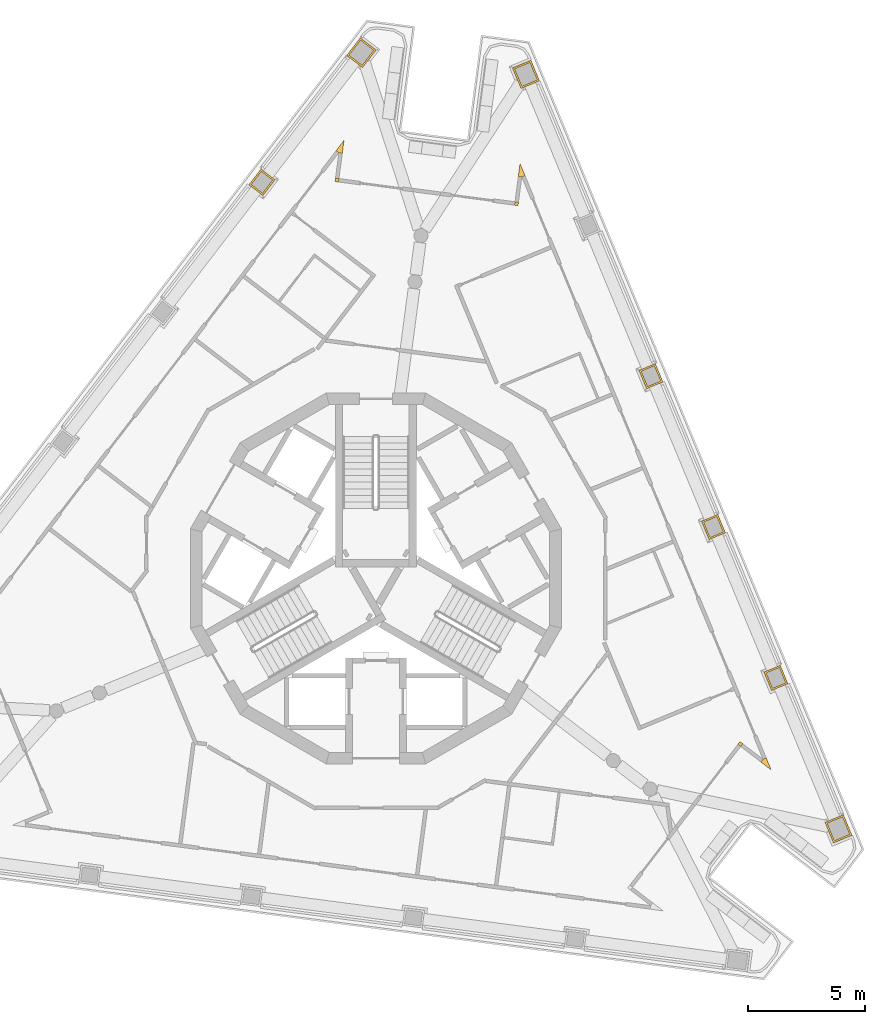
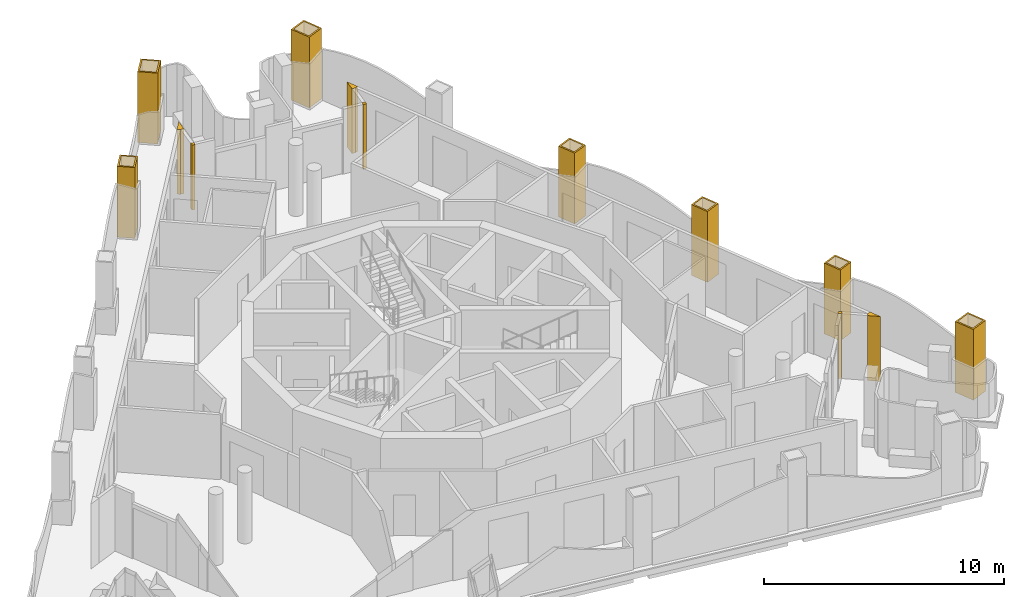
# One storey, part 11 of 12: 13 coverings.
"""IFC4 building model written with IfcOpenShell, lengths in metres."""

from ifc_helpers import new_model, si_unit, direction, frame, origin, place, context, subcontext, project, spatial, polyline, outline, extrude, material, layer, layer_set, type_object, element, save


model = new_model("IFC4")

# Units and contexts
model_context = context("Model", 3, precision=1e-05, world=origin(), true_north=direction((0.0, 1.0)))
body_context = subcontext(model_context, "Body", "Model", "MODEL_VIEW")
ifc_project = project(units=[si_unit("LENGTHUNIT", "METRE"), si_unit("AREAUNIT", "SQUARE_METRE"), si_unit("VOLUMEUNIT", "CUBIC_METRE"), si_unit("PLANEANGLEUNIT", "RADIAN"), si_unit("MASSUNIT", "GRAM", prefix="KILO")], contexts=[model_context])

# Site, building, storey
site_placement = place(None, origin())
site = spatial("IfcSite", under=ifc_project, at=site_placement, CompositionType="ELEMENT")
building_placement = place(site_placement, origin())
building = spatial("IfcBuilding", under=site, at=building_placement, Name="Trine Commons Tower", CompositionType="ELEMENT")
storey_placement = place(building_placement, frame((0.0, 0.0, 289.800048828125)))
storey = spatial("IfcBuildingStorey", under=building, at=storey_placement, Name="L76", CompositionType="ELEMENT", Elevation=289.800048828125)

# Coverings
ifc_material_1 = material(Name="Aluminium-framed insulated wall panel", Category="aluminium")
ifc_layer_1 = layer(ifc_material_1, 0.14990234375)
ifc_layer_set_1 = layer_set([ifc_layer_1], Name="Aluminium-framed insulated wall panel")
covering_type_1 = type_object("IfcCoveringType", Name="Glazing corner post, aluminium", PredefinedType="CLADDING", material=ifc_layer_set_1)
covering_1_placement = place(storey_placement, origin())
element("IfcCovering", 1, at=covering_1_placement, inside=storey, type_object=covering_type_1, Name="Glazing corner post 8-02", PredefinedType="CLADDING", context=body_context, shape_type="SweptSolid", body=[
    extrude(outline(polyline([(78.41845703125, 80.671875), (78.567138671875, 80.652099609375), (78.64013671875, 81.207275390625), (78.29931640625, 80.76318359375), (78.41845703125, 80.671875), (78.41845703125, 80.671875)])), origin(), (0.0, 0.0, 1.0), 3.300048828125),
])
covering_2_placement = place(storey_placement, origin())
element("IfcCovering", 2, at=covering_2_placement, inside=storey, type_object=covering_type_1, Name="Glazing corner post 8-03", PredefinedType="CLADDING", context=body_context, shape_type="SweptSolid", body=[
    extrude(outline(polyline([(78.40576171875, 79.427001953125), (78.42529296875, 79.57568359375), (78.276611328125, 79.59521484375), (78.257080078125, 79.446533203125), (78.40576171875, 79.427001953125)])), origin(), (0.0, 0.0, 1.0), 3.300048828125),
])
covering_3_placement = place(storey_placement, origin())
element("IfcCovering", 3, at=covering_3_placement, inside=storey, type_object=covering_type_1, Name="Glazing corner post 8-04", PredefinedType="CLADDING", context=body_context, shape_type="SweptSolid", body=[
    extrude(outline(polyline([(85.9208984375, 78.437744140625), (86.069580078125, 78.418212890625), (86.089111328125, 78.56689453125), (85.9404296875, 78.58642578125), (85.9208984375, 78.437744140625)])), origin(), (0.0, 0.0, 1.0), 3.300048828125),
])
covering_4_placement = place(storey_placement, origin())
element("IfcCovering", 4, at=covering_4_placement, inside=storey, type_object=covering_type_1, Name="Glazing corner post 8-05", PredefinedType="CLADDING", context=body_context, shape_type="SweptSolid", body=[
    extrude(outline(polyline([(86.082275390625, 79.662841796875), (86.23095703125, 79.643310546875), (86.369384765625, 79.70068359375), (86.1552734375, 80.2177734375), (86.082275390625, 79.662841796875)])), origin(), (0.0, 0.0, 1.0), 3.300048828125),
])
covering_5_placement = place(storey_placement, origin())
element("IfcCovering", 5, at=covering_5_placement, inside=storey, type_object=covering_type_1, Name="Glazing corner post 8-06", PredefinedType="CLADDING", context=body_context, shape_type="SweptSolid", body=[
    extrude(outline(polyline([(96.436767578125, 54.664794921875), (96.880859375, 54.32421875), (96.66650390625, 54.84130859375), (96.528076171875, 54.783935546875), (96.436767578125, 54.664794921875)])), origin(), (0.0, 0.0, 1.0), 3.300048828125),
])
covering_6_placement = place(storey_placement, origin())
element("IfcCovering", 6, at=covering_6_placement, inside=storey, type_object=covering_type_1, Name="Glazing corner post 8-07", PredefinedType="CLADDING", context=body_context, shape_type="SweptSolid", body=[
    extrude(outline(polyline([(95.456298828125, 55.4169921875), (95.575439453125, 55.32568359375), (95.666748046875, 55.44482421875), (95.547607421875, 55.5361328125), (95.456298828125, 55.4169921875)])), origin(), (0.0, 0.0, 1.0), 3.300048828125),
])
ifc_material_2 = material(Name="Limestone, honed", Category="masonry")
ifc_layer_2 = layer(ifc_material_2, 0.074951171875)
ifc_layer_set_2 = layer_set([ifc_layer_2], Name="Limestone, honed")
covering_type_2 = type_object("IfcCoveringType", Name="Limestone column cladding 75", PredefinedType="CLADDING", material=ifc_layer_set_2)
covering_7_placement = place(storey_placement, origin())
element("IfcCovering", 7, at=covering_7_placement, inside=storey, type_object=covering_type_2, Name="Limestone pier cladding 8-11", PredefinedType="CLADDING", context=body_context, shape_type="SweptSolid", body=[
    extrude(outline(polyline([(75.691650390625, 79.52490234375), (75.0966796875, 79.9814453125), (74.579345703125, 79.30712890625), (75.17431640625, 78.8505859375), (75.691650390625, 79.52490234375)]), holes=[polyline([(75.586669921875, 79.510986328125), (75.110595703125, 79.876220703125), (74.684326171875, 79.321044921875), (75.160400390625, 78.955810546875), (75.586669921875, 79.510986328125)])]), origin(), (0.0, 0.0, 1.0), 3.599853515625),
])
covering_8_placement = place(storey_placement, origin())
element("IfcCovering", 8, at=covering_8_placement, inside=storey, type_object=covering_type_2, Name="Limestone pier cladding 8-12", PredefinedType="CLADDING", context=body_context, shape_type="SweptSolid", body=[
    extrude(outline(polyline([(80.006591796875, 85.06591796875), (79.332275390625, 85.58349609375), (78.75390625, 84.829833984375), (79.42822265625, 84.312255859375), (80.006591796875, 85.06591796875)]), holes=[polyline([(79.9013671875, 85.05224609375), (79.345947265625, 85.478271484375), (78.85888671875, 84.843505859375), (79.414306640625, 84.41748046875), (79.9013671875, 85.05224609375)])]), origin(), (0.0, 0.0, 1.0), 3.599853515625),
])
covering_9_placement = place(storey_placement, origin())
element("IfcCovering", 9, at=covering_9_placement, inside=storey, type_object=covering_type_2, Name="Limestone pier cladding 8-13", PredefinedType="CLADDING", context=body_context, shape_type="SweptSolid", body=[
    extrude(outline(polyline([(86.619384765625, 84.6240234375), (85.834228515625, 84.298828125), (86.19775390625, 83.421142578125), (86.98291015625, 83.746337890625), (86.619384765625, 84.6240234375)]), holes=[polyline([(86.578857421875, 84.526123046875), (85.93212890625, 84.25830078125), (86.23828125, 83.51904296875), (86.885009765625, 83.787109375), (86.578857421875, 84.526123046875)])]), origin(), (0.0, 0.0, 1.0), 3.599853515625),
])
covering_10_placement = place(storey_placement, origin())
element("IfcCovering", 10, at=covering_10_placement, inside=storey, type_object=covering_type_2, Name="Limestone pier cladding 8-15", PredefinedType="CLADDING", context=body_context, shape_type="SweptSolid", body=[
    extrude(outline(polyline([(91.92919921875, 71.6748046875), (91.236083984375, 71.3876953125), (91.5615234375, 70.6025390625), (92.25439453125, 70.8896484375), (91.92919921875, 71.6748046875)]), holes=[polyline([(91.888427734375, 71.576904296875), (91.334228515625, 71.347412109375), (91.60205078125, 70.700439453125), (92.156494140625, 70.93017578125), (91.888427734375, 71.576904296875)])]), origin(), (0.0, 0.0, 1.0), 3.599853515625),
])
covering_11_placement = place(storey_placement, origin())
element("IfcCovering", 11, at=covering_11_placement, inside=storey, type_object=covering_type_2, Name="Limestone pier cladding 8-16", PredefinedType="CLADDING", context=body_context, shape_type="SweptSolid", body=[
    extrude(outline(polyline([(94.597412109375, 65.23291015625), (93.904541015625, 64.94580078125), (94.229736328125, 64.160400390625), (94.922607421875, 64.447509765625), (94.597412109375, 65.23291015625)]), holes=[polyline([(94.556884765625, 65.135009765625), (94.00244140625, 64.9052734375), (94.2705078125, 64.258544921875), (94.82470703125, 64.488037109375), (94.556884765625, 65.135009765625)])]), origin(), (0.0, 0.0, 1.0), 3.599853515625),
])
covering_12_placement = place(storey_placement, origin())
element("IfcCovering", 12, at=covering_12_placement, inside=storey, type_object=covering_type_2, Name="Limestone pier cladding 8-17", PredefinedType="CLADDING", context=body_context, shape_type="SweptSolid", body=[
    extrude(outline(polyline([(97.265625, 58.791015625), (96.57275390625, 58.50390625), (96.898193359375, 57.718505859375), (97.591064453125, 58.005615234375), (97.265625, 58.791015625)]), holes=[polyline([(97.22509765625, 58.69287109375), (96.6708984375, 58.46337890625), (96.938720703125, 57.81640625), (97.492919921875, 58.046142578125), (97.22509765625, 58.69287109375)])]), origin(), (0.0, 0.0, 1.0), 3.599853515625),
])
covering_13_placement = place(storey_placement, origin())
element("IfcCovering", 13, at=covering_13_placement, inside=storey, type_object=covering_type_2, Name="Limestone pier cladding 8-18", PredefinedType="CLADDING", context=body_context, shape_type="SweptSolid", body=[
    extrude(outline(polyline([(99.961181640625, 52.414306640625), (99.17578125, 52.089111328125), (99.539306640625, 51.211181640625), (100.32470703125, 51.53662109375), (99.961181640625, 52.414306640625)]), holes=[polyline([(99.920654296875, 52.31640625), (99.27392578125, 52.04833984375), (99.580078125, 51.309326171875), (100.226806640625, 51.5771484375), (99.920654296875, 52.31640625)])]), origin(), (0.0, 0.0, 1.0), 3.599853515625),
])

save(model, "model.ifc")
